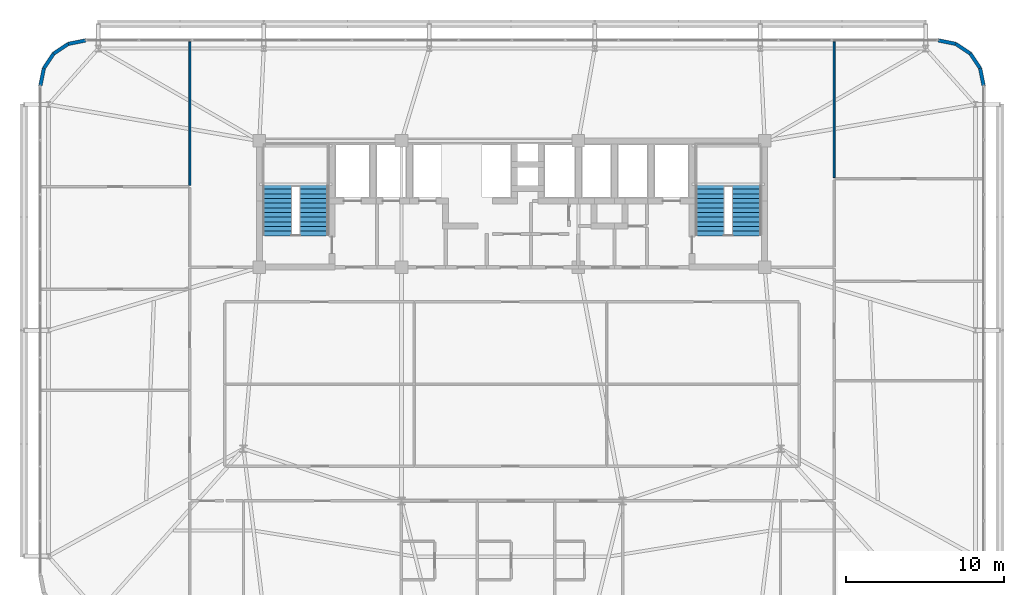
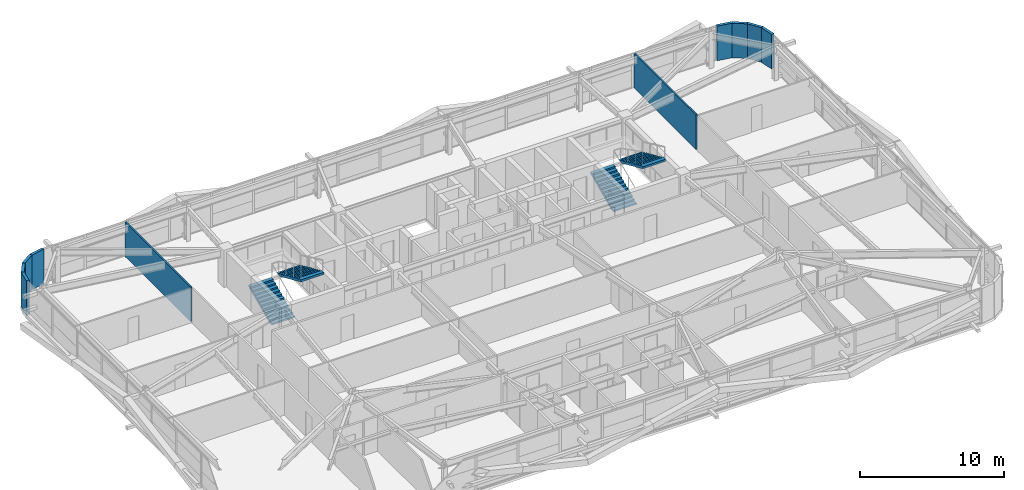
# One storey, part 56 of 59: 10 walls, 4 stair flights, 2 elements without a shape of their own.
"""IFC4 building model written with IfcOpenShell, lengths in metres."""

from ifc_helpers import new_model, si_unit, direction, frame, frame_2d, origin, place, context, subcontext, project, spatial, polyline, rectangle, outline, extrude, source, transform, mapped, material, layer, layer_set, type_object, element, aggregate, save


model = new_model("IFC4")

# Units and contexts
model_context = context("Model", 3, precision=1e-05, world=origin(), true_north=direction((0.0, 1.0)))
body_context = subcontext(model_context, "Body", "Model", "MODEL_VIEW")
ifc_project = project(units=[si_unit("LENGTHUNIT", "METRE"), si_unit("AREAUNIT", "SQUARE_METRE"), si_unit("VOLUMEUNIT", "CUBIC_METRE"), si_unit("PLANEANGLEUNIT", "RADIAN"), si_unit("MASSUNIT", "GRAM", prefix="KILO")], contexts=[model_context])

# Site, building, storey
site_placement = place(None, origin())
site = spatial("IfcSite", under=ifc_project, at=site_placement, CompositionType="ELEMENT")
building_placement = place(site_placement, origin())
building = spatial("IfcBuilding", under=site, at=building_placement, Name="Taldren Reach Tower", CompositionType="ELEMENT")
storey_placement = place(building_placement, frame((0.0, 0.0, 48.300048828125)))
storey = spatial("IfcBuildingStorey", under=building, at=storey_placement, Name="L14", CompositionType="ELEMENT", Elevation=48.300048828125)

# Walls
ifc_material_1 = material(Name="Pale Champagne Anodised Aluminium Cladding", Category="aluminium")
ifc_layer_1 = layer(ifc_material_1, 0.04, Name="Pale Champagne Anodised Aluminium Cladding", Category="aluminium")
ifc_material_2 = material(Name="Mineral Wool Acoustic Insulation", Category="insulation")
ifc_layer_2 = layer(ifc_material_2, 0.06, Name="Mineral Wool Acoustic Insulation", Category="insulation")
ifc_material_3 = material(Name="Steel Gr 350 (C350L0)", Category="steel")
ifc_layer_3 = layer(ifc_material_3, 0.12, Name="Steel Gr 350 (C350L0)", Category="steel")
ifc_layer_set_1 = layer_set([ifc_layer_1, ifc_layer_2, ifc_layer_3], Name="Pale Champagne Aluminium Cladding and Steel Gr 350 Stud Framing")
wall_type_1 = type_object("IfcWallType", Name="EW-CRN-220", PredefinedType="SOLIDWALL", material=ifc_layer_set_1)
shared_shape_1 = source(origin(), body_context, "Body", "SweptSolid", [
    extrude(rectangle(XDim=1.115966796875, YDim=0.219970703125, at=frame_2d((0.55810546875, 0.0))), origin(), (0.0, 0.0, 1.0), 2.929931640625),
])
for number, where, z_axis, x_axis, name in (
    (1, (64.860107421875, 35.5, 0.0), (0.0, 0.0, 1.0), (-0.195148375659, 0.98077373103, 0.0), "Rounded-corner pale-metal facade wall L14-NE1"),
    (2, (64.642333984375, 36.594482421875, 0.0), (0.0, 0.0, 1.0), (-0.555709556774, 0.83137650226, 0.0), "Rounded-corner pale-metal facade wall L14-NE2"),
    (3, (64.022216796875, 37.522216796875, 0.0), (0.0, 0.0, 1.0), (-0.83137650226, 0.555709556774, 0.0), "Rounded-corner pale-metal facade wall L14-NE3"),
    (4, (63.094482421875, 38.142333984375, 0.0), (0.0, 0.0, 1.0), (-0.98077373103, 0.195148375659, 0.0), "Rounded-corner pale-metal facade wall L14-NE4"),
    (5, (8.0, 38.360107421875, 0.0), (0.0, 0.0, 1.0), (-0.98077373103, -0.195148375659, 0.0), "Rounded-corner pale-metal facade wall L14-NW1"),
    (6, (6.905517578125, 38.142333984375, 0.0), (0.0, 0.0, 1.0), (-0.83137650226, -0.555709556774, 0.0), "Rounded-corner pale-metal facade wall L14-NW2"),
    (7, (5.977783203125, 37.522216796875, 0.0), (0.0, 0.0, 1.0), (-0.555709556774, -0.83137650226, 0.0), "Rounded-corner pale-metal facade wall L14-NW3"),
    (8, (5.357666015625, 36.594482421875, 0.0), (0.0, 0.0, 1.0), (-0.195148375659, -0.98077373103, 0.0), "Rounded-corner pale-metal facade wall L14-NW4"),
):
    element("IfcWall", number, at=place(storey_placement, frame(where, z_axis=z_axis, x_axis=x_axis)), inside=storey, type_object=wall_type_1, Name=name, PredefinedType="SOLIDWALL", context=body_context, shape_type="MappedRepresentation", body=[
        mapped(shared_shape_1, transform((0.0, 0.0, 0.0), scale=1.0)),
    ])
ifc_material_4 = material(Name="Insulated Residential Stud Partition", Category="gypsum")
ifc_layer_4 = layer(ifc_material_4, 0.1201171875)
ifc_layer_set_2 = layer_set([ifc_layer_4], Name="Insulated Residential Stud Partition")
wall_type_2 = type_object("IfcWallType", Name="IW-PART-120", PredefinedType="PARTITIONING", material=ifc_layer_set_2)
shared_shape_2 = source(origin(), body_context, "Body", "SweptSolid", [
    extrude(rectangle(XDim=9.090087890625, YDim=0.1201171875, at=frame_2d((4.544921875, 0.0))), origin(), (0.0, 0.0, 1.0), 2.929931640625),
])
wall_1_placement = place(storey_placement, frame((14.60009765625, 38.27001953125, 0.0), z_axis=(0.0, 0.0, 1.0), x_axis=(0.0, -1.0, 0.0)))
element("IfcWall", 9, at=wall_1_placement, inside=storey, type_object=wall_type_2, Name="Interior Partition Wall W-INT-L14-121", PredefinedType="PARTITIONING", context=body_context, shape_type="MappedRepresentation", body=[
    mapped(shared_shape_2, transform((0.0, 0.0, 0.0), scale=1.0)),
])
shared_shape_3 = source(origin(), body_context, "Body", "SweptSolid", [
    extrude(rectangle(XDim=8.590087890625, YDim=0.1201171875, at=frame_2d((4.294921875, 0.0))), origin(), (0.0, 0.0, 1.0), 2.929931640625),
])
wall_2_placement = place(storey_placement, frame((55.39990234375, 29.679931640625, 0.0), z_axis=(0.0, 0.0, 1.0), x_axis=(0.0, 1.0, 0.0)))
element("IfcWall", 10, at=wall_2_placement, inside=storey, type_object=wall_type_2, Name="Interior Partition Wall W-INT-L14-126", PredefinedType="PARTITIONING", context=body_context, shape_type="MappedRepresentation", body=[
    mapped(shared_shape_3, transform((0.0, 0.0, 0.0), scale=1.0)),
])

# Stair, stair flights
ifc_material_5 = material(Name="Concrete S50 (50 MPa)", Category="concrete")
stair_type = type_object("IfcStairType", Name="ST-HT-315", PredefinedType="HALF_TURN_STAIR", material=ifc_material_5)
stair_1_placement = place(storey_placement, origin())
stair_1 = element("IfcStair", 11, at=stair_1_placement, inside=storey, type_object=stair_type, Name="Fire-isolated exit stair ST1 L14", PredefinedType="HALF_TURN_STAIR")
stair_flight_type = type_object("IfcStairFlightType", Name="SF-STR-315", PredefinedType="STRAIGHT", material=ifc_material_5)
stair_flight_1_placement = place(storey_placement, frame((20.139892578125, 25.989990234375, 0.0), z_axis=(0.0, 0.0, 1.0), x_axis=(0.0, 1.0, 0.0)))
stair_flight_1 = element("IfcStairFlight", 12, at=stair_flight_1_placement, type_object=stair_flight_type, Name="ST1 flight 1", NumberOfRisers=12, NumberOfTreads=11, PredefinedType="STRAIGHT", RiserHeight=0.13125, TreadLength=0.295, context=body_context, shape_type="SweptSolid", body=[
    extrude(outline(polyline([(0.0, 0.0), (0.0, 0.13134765625), (0.294921875, 0.13134765625), (0.294921875, 0.262451171875), (0.590087890625, 0.262451171875), (0.590087890625, 0.393798828125), (0.885009765625, 0.393798828125), (0.885009765625, 0.52490234375), (1.179931640625, 0.52490234375), (1.179931640625, 0.65625), (1.47509765625, 0.65625), (1.47509765625, 0.78759765625), (1.77001953125, 0.78759765625), (1.77001953125, 0.918701171875), (2.06494140625, 0.918701171875), (2.06494140625, 1.050048828125), (2.360107421875, 1.050048828125), (2.360107421875, 1.18115234375), (2.655029296875, 1.18115234375), (2.655029296875, 1.3125), (2.949951171875, 1.3125), (2.949951171875, 1.44384765625), (3.2451171875, 1.44384765625), (3.2451171875, 1.574951171875), (3.2451171875, 1.268798828125), (0.393310546875, 0.0), (0.0, 0.0)])), frame((0.0, 0.919921875, 0.0), z_axis=(0.0, -1.0, 0.0), x_axis=(1.0, 0.0, 0.0)), (0.0, 0.0, 1.0), 1.840087890625),
])
stair_flight_2_placement = place(storey_placement, frame((22.4599609375, 29.235107421875, 1.574951171875), z_axis=(0.0, 0.0, 1.0), x_axis=(0.0, -1.0, 0.0)))
stair_flight_2 = element("IfcStairFlight", 13, at=stair_flight_2_placement, type_object=stair_flight_type, Name="ST1 flight 2", NumberOfRisers=12, NumberOfTreads=11, PredefinedType="STRAIGHT", RiserHeight=0.13125, TreadLength=0.295, context=body_context, shape_type="SweptSolid", body=[
    extrude(outline(polyline([(0.0, 0.0), (0.0, 0.13134765625), (0.294921875, 0.13134765625), (0.294921875, 0.262451171875), (0.590087890625, 0.262451171875), (0.590087890625, 0.393798828125), (0.885009765625, 0.393798828125), (0.885009765625, 0.52490234375), (1.179931640625, 0.52490234375), (1.179931640625, 0.65625), (1.47509765625, 0.65625), (1.47509765625, 0.78759765625), (1.77001953125, 0.78759765625), (1.77001953125, 0.918701171875), (2.06494140625, 0.918701171875), (2.06494140625, 1.050048828125), (2.360107421875, 1.050048828125), (2.360107421875, 1.18115234375), (2.655029296875, 1.18115234375), (2.655029296875, 1.3125), (2.949951171875, 1.3125), (2.949951171875, 1.44384765625), (3.2451171875, 1.44384765625), (3.2451171875, 1.574951171875), (3.2451171875, 1.268798828125), (0.393310546875, 0.0), (0.0, 0.0)])), frame((0.0, 0.919921875, 0.0), z_axis=(0.0, -1.0, 0.0), x_axis=(1.0, 0.0, 0.0)), (0.0, 0.0, 1.0), 1.840087890625),
])
aggregate(stair_1, [stair_flight_1, stair_flight_2])

stair_2_placement = place(storey_placement, origin())
stair_2 = element("IfcStair", 14, at=stair_2_placement, inside=storey, type_object=stair_type, Name="Fire-isolated exit stair ST2 L14", PredefinedType="HALF_TURN_STAIR")
stair_flight_3_placement = place(storey_placement, frame((47.5400390625, 25.989990234375, 0.0), z_axis=(0.0, 0.0, 1.0), x_axis=(0.0, 1.0, 0.0)))
stair_flight_3 = element("IfcStairFlight", 15, at=stair_flight_3_placement, type_object=stair_flight_type, Name="ST2 flight 1", NumberOfRisers=12, NumberOfTreads=11, PredefinedType="STRAIGHT", RiserHeight=0.13125, TreadLength=0.295, context=body_context, shape_type="SweptSolid", body=[
    extrude(outline(polyline([(0.0, 0.0), (0.0, 0.13134765625), (0.294921875, 0.13134765625), (0.294921875, 0.262451171875), (0.590087890625, 0.262451171875), (0.590087890625, 0.393798828125), (0.885009765625, 0.393798828125), (0.885009765625, 0.52490234375), (1.179931640625, 0.52490234375), (1.179931640625, 0.65625), (1.47509765625, 0.65625), (1.47509765625, 0.78759765625), (1.77001953125, 0.78759765625), (1.77001953125, 0.918701171875), (2.06494140625, 0.918701171875), (2.06494140625, 1.050048828125), (2.360107421875, 1.050048828125), (2.360107421875, 1.18115234375), (2.655029296875, 1.18115234375), (2.655029296875, 1.3125), (2.949951171875, 1.3125), (2.949951171875, 1.44384765625), (3.2451171875, 1.44384765625), (3.2451171875, 1.574951171875), (3.2451171875, 1.268798828125), (0.393310546875, 0.0), (0.0, 0.0)])), frame((0.0, 0.919921875, 0.0), z_axis=(0.0, -1.0, 0.0), x_axis=(1.0, 0.0, 0.0)), (0.0, 0.0, 1.0), 1.840087890625),
])
stair_flight_4_placement = place(storey_placement, frame((49.860107421875, 29.235107421875, 1.574951171875), z_axis=(0.0, 0.0, 1.0), x_axis=(0.0, -1.0, 0.0)))
stair_flight_4 = element("IfcStairFlight", 16, at=stair_flight_4_placement, type_object=stair_flight_type, Name="ST2 flight 2", NumberOfRisers=12, NumberOfTreads=11, PredefinedType="STRAIGHT", RiserHeight=0.13125, TreadLength=0.295, context=body_context, shape_type="SweptSolid", body=[
    extrude(outline(polyline([(0.0, 0.0), (0.0, 0.13134765625), (0.294921875, 0.13134765625), (0.294921875, 0.262451171875), (0.590087890625, 0.262451171875), (0.590087890625, 0.393798828125), (0.885009765625, 0.393798828125), (0.885009765625, 0.52490234375), (1.179931640625, 0.52490234375), (1.179931640625, 0.65625), (1.47509765625, 0.65625), (1.47509765625, 0.78759765625), (1.77001953125, 0.78759765625), (1.77001953125, 0.918701171875), (2.06494140625, 0.918701171875), (2.06494140625, 1.050048828125), (2.360107421875, 1.050048828125), (2.360107421875, 1.18115234375), (2.655029296875, 1.18115234375), (2.655029296875, 1.3125), (2.949951171875, 1.3125), (2.949951171875, 1.44384765625), (3.2451171875, 1.44384765625), (3.2451171875, 1.574951171875), (3.2451171875, 1.268798828125), (0.393310546875, 0.0), (0.0, 0.0)])), frame((0.0, 0.919921875, 0.0), z_axis=(0.0, -1.0, 0.0), x_axis=(1.0, 0.0, 0.0)), (0.0, 0.0, 1.0), 1.840087890625),
])
aggregate(stair_2, [stair_flight_3, stair_flight_4])

save(model, "model.ifc")
